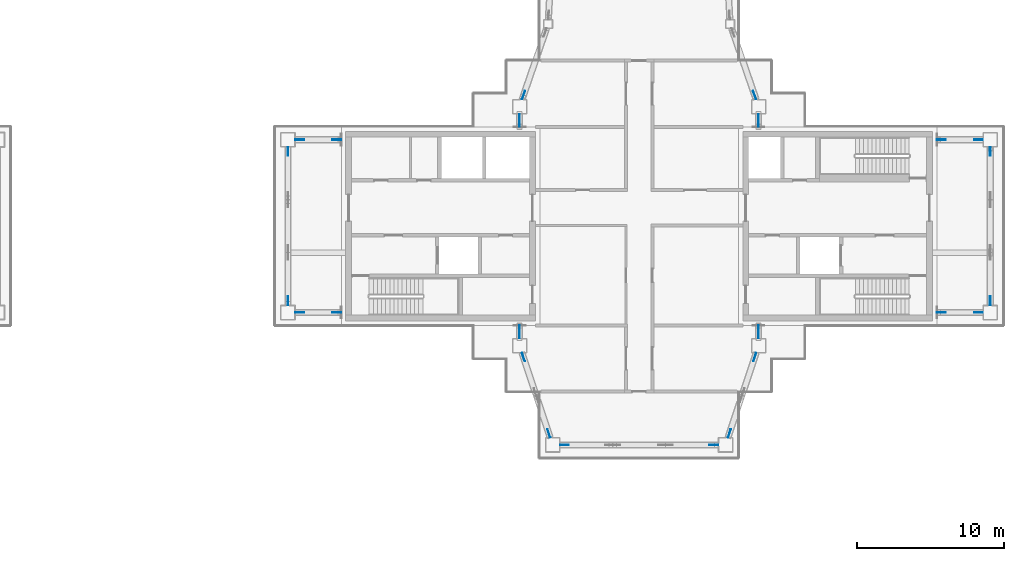
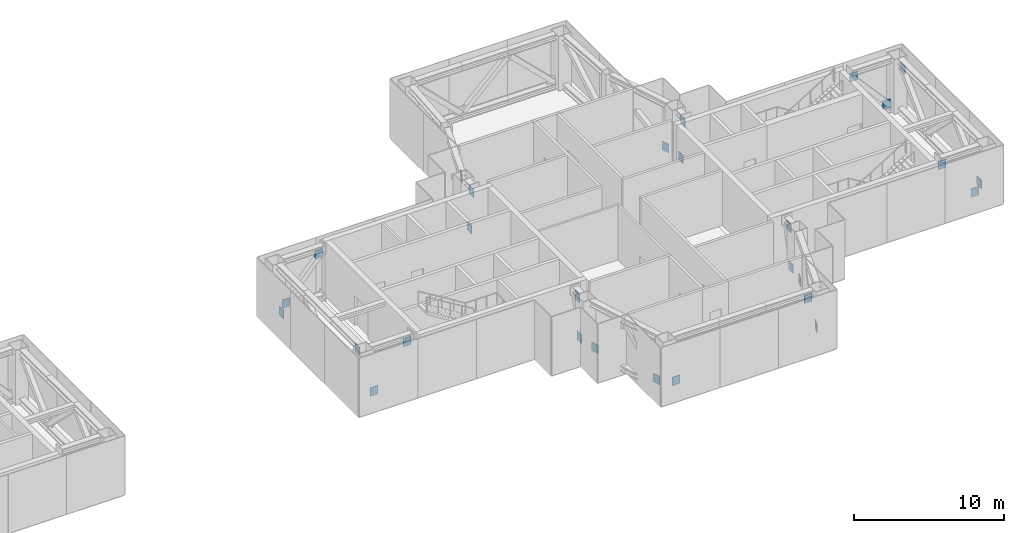
# One storey, part 15 of 18: 28 discrete accessories.
"""IFC4 building model written with IfcOpenShell, lengths in metres."""

from ifc_helpers import new_model, si_unit, direction, frame, origin, origin_2d, place, context, subcontext, project, spatial, rectangle, extrude, material, layer, layer_set, type_object, element, save


model = new_model("IFC4")

# Units and contexts
model_context = context("Model", 3, precision=1e-05, world=origin(), true_north=direction((0.0, 1.0)))
body_context = subcontext(model_context, "Body", "Model", "MODEL_VIEW")
ifc_project = project(units=[si_unit("LENGTHUNIT", "METRE"), si_unit("AREAUNIT", "SQUARE_METRE"), si_unit("VOLUMEUNIT", "CUBIC_METRE"), si_unit("PLANEANGLEUNIT", "RADIAN"), si_unit("MASSUNIT", "GRAM", prefix="KILO")], contexts=[model_context])

# Site, building, storey
site_placement = place(None, origin())
site = spatial("IfcSite", under=ifc_project, at=site_placement, CompositionType="ELEMENT")
building_placement = place(site_placement, origin())
building = spatial("IfcBuilding", under=site, at=building_placement, Name="Shamsa Quay Exchange Towers", CompositionType="ELEMENT")
storey_placement = place(building_placement, frame((0.0, 0.0, 225.60009765625)))
storey = spatial("IfcBuildingStorey", under=building, at=storey_placement, Name="L54", CompositionType="ELEMENT", Elevation=225.60009765625)

# Discrete accessories
ifc_material = material(Name="Steel S355", Category="steel")
ifc_layer = layer(ifc_material, 0.0400390625)
ifc_layer_set = layer_set([ifc_layer], Name="End plate 600x700x40")
discrete_accessory_type = type_object("IfcDiscreteAccessoryType", Name="End plate 600x700x40", PredefinedType="BRACKET", material=ifc_layer_set)
for number, where, name in (
    (1, (10.675048828125, -5.875, 0.31494140625), "End plate T2 L54"),
    (2, (13.199951171875, -5.875, 3.43505859375), "End plate T2 L54"),
):
    element("IfcDiscreteAccessory", number, at=place(storey_placement, frame(where)), inside=storey, type_object=discrete_accessory_type, Name=name, PredefinedType="BRACKET", context=body_context, shape_type="SweptSolid", body=[
        extrude(rectangle(XDim=0.60009765625, YDim=0.0400390625, at=origin_2d()), origin(), (0.0, 0.0, 1.0), 0.699951171875),
    ])
for number, where, z_axis, x_axis, name in (
    (3, (25.625, -7.324951171875, 0.31494140625), (0.0, 0.0, 1.0), (0.0, 1.0, 0.0), "End plate T2 L54"),
    (4, (25.625, -7.050048828125, 3.43505859375), (0.0, 0.0, 1.0), (0.0, 1.0, 0.0), "End plate T2 L54"),
    (5, (25.886474609375, -8.90966796875, 0.31494140625), (0.0, 0.0, 1.0), (0.316227766018, -0.94868329805, 0.0), "End plate T2 L54"),
    (6, (27.613525390625, -14.09033203125, 0.31494140625), (0.0, 0.0, 1.0), (0.316227766018, -0.94868329805, 0.0), "End plate T2 L54"),
):
    element("IfcDiscreteAccessory", number, at=place(storey_placement, frame(where, z_axis=z_axis, x_axis=x_axis)), inside=storey, type_object=discrete_accessory_type, Name=name, PredefinedType="BRACKET", context=body_context, shape_type="SweptSolid", body=[
        extrude(rectangle(XDim=0.60009765625, YDim=0.0400390625, at=origin_2d()), origin(), (0.0, 0.0, 1.0), 0.699951171875),
    ])
for number, where, name in (
    (7, (28.675048828125, -14.875, 0.31494140625), "End plate T2 L54"),
    (8, (38.824951171875, -14.875, 3.43505859375), "End plate T2 L54"),
):
    element("IfcDiscreteAccessory", number, at=place(storey_placement, frame(where)), inside=storey, type_object=discrete_accessory_type, Name=name, PredefinedType="BRACKET", context=body_context, shape_type="SweptSolid", body=[
        extrude(rectangle(XDim=0.60009765625, YDim=0.0400390625, at=origin_2d()), origin(), (0.0, 0.0, 1.0), 0.699951171875),
    ])
for number, where, z_axis, x_axis, name in (
    (9, (39.886474609375, -14.09033203125, 0.31494140625), (0.0, 0.0, 1.0), (0.316227766018, 0.94868329805, 0.0), "End plate T2 L54"),
    (10, (41.613525390625, -8.90966796875, 0.31494140625), (0.0, 0.0, 1.0), (0.316227766018, 0.94868329805, 0.0), "End plate T2 L54"),
    (11, (41.875, -7.324951171875, 0.31494140625), (0.0, 0.0, 1.0), (0.0, 1.0, 0.0), "End plate T2 L54"),
    (12, (41.875, -7.050048828125, 3.43505859375), (0.0, 0.0, 1.0), (0.0, 1.0, 0.0), "End plate T2 L54"),
    (13, (56.824951171875, -5.875, 0.31494140625), (0.0, 0.0, 1.0), (-1.0, 0.0, 0.0), "End plate T2 L54"),
    (14, (54.300048828125, -5.875, 3.43505859375), (0.0, 0.0, 1.0), (-1.0, 0.0, 0.0), "End plate T2 L54"),
    (15, (57.625, -5.074951171875, 0.31494140625), (0.0, 0.0, 1.0), (0.0, 1.0, 0.0), "End plate T2 L54"),
    (16, (57.625, 5.074951171875, 3.43505859375), (0.0, 0.0, 1.0), (0.0, 1.0, 0.0), "End plate T2 L54"),
    (17, (56.824951171875, 5.875, 0.31494140625), (0.0, 0.0, 1.0), (-1.0, 0.0, 0.0), "End plate T2 L54"),
    (18, (54.300048828125, 5.875, 3.43505859375), (0.0, 0.0, 1.0), (-1.0, 0.0, 0.0), "End plate T2 L54"),
    (19, (41.875, 7.324951171875, 0.31494140625), (0.0, 0.0, 1.0), (0.0, -1.0, 0.0), "End plate T2 L54"),
    (20, (41.875, 7.050048828125, 3.43505859375), (0.0, 0.0, 1.0), (0.0, -1.0, 0.0), "End plate T2 L54"),
    (21, (41.60498046875, 8.90869140625, 0.31494140625), (0.0, 0.0, 1.0), (-0.325666906351, 0.945484566827, 0.0), "End plate T2 L54"),
    (22, (25.89501953125, 8.90869140625, 3.43505859375), (0.0, 0.0, 1.0), (-0.325666906351, -0.945484566827, 0.0), "End plate T2 L54"),
    (23, (25.625, 7.324951171875, 0.31494140625), (0.0, 0.0, 1.0), (0.0, -1.0, 0.0), "End plate T2 L54"),
    (24, (25.625, 7.050048828125, 3.43505859375), (0.0, 0.0, 1.0), (0.0, -1.0, 0.0), "End plate T2 L54"),
):
    element("IfcDiscreteAccessory", number, at=place(storey_placement, frame(where, z_axis=z_axis, x_axis=x_axis)), inside=storey, type_object=discrete_accessory_type, Name=name, PredefinedType="BRACKET", context=body_context, shape_type="SweptSolid", body=[
        extrude(rectangle(XDim=0.60009765625, YDim=0.0400390625, at=origin_2d()), origin(), (0.0, 0.0, 1.0), 0.699951171875),
    ])
for number, where, name in (
    (25, (10.675048828125, 5.875, 0.31494140625), "End plate T2 L54"),
    (26, (13.199951171875, 5.875, 3.43505859375), "End plate T2 L54"),
):
    element("IfcDiscreteAccessory", number, at=place(storey_placement, frame(where)), inside=storey, type_object=discrete_accessory_type, Name=name, PredefinedType="BRACKET", context=body_context, shape_type="SweptSolid", body=[
        extrude(rectangle(XDim=0.60009765625, YDim=0.0400390625, at=origin_2d()), origin(), (0.0, 0.0, 1.0), 0.699951171875),
    ])
for number, where, z_axis, x_axis, name in (
    (27, (9.875, 5.074951171875, 0.31494140625), (0.0, 0.0, 1.0), (0.0, -1.0, 0.0), "End plate T2 L54"),
    (28, (9.875, -5.074951171875, 3.43505859375), (0.0, 0.0, 1.0), (0.0, -1.0, 0.0), "End plate T2 L54"),
):
    element("IfcDiscreteAccessory", number, at=place(storey_placement, frame(where, z_axis=z_axis, x_axis=x_axis)), inside=storey, type_object=discrete_accessory_type, Name=name, PredefinedType="BRACKET", context=body_context, shape_type="SweptSolid", body=[
        extrude(rectangle(XDim=0.60009765625, YDim=0.0400390625, at=origin_2d()), origin(), (0.0, 0.0, 1.0), 0.699951171875),
    ])

save(model, "model.ifc")
